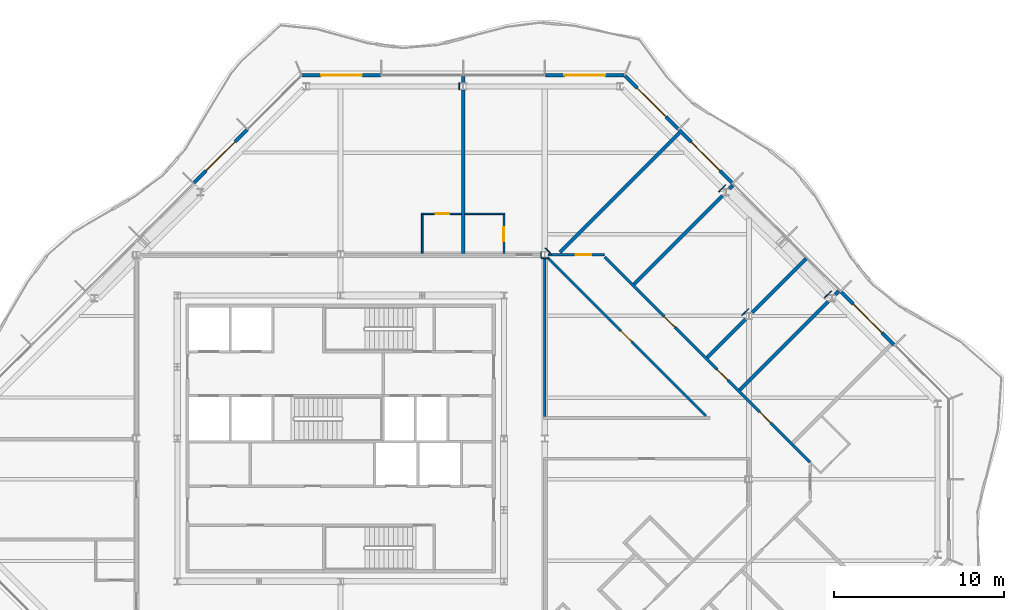
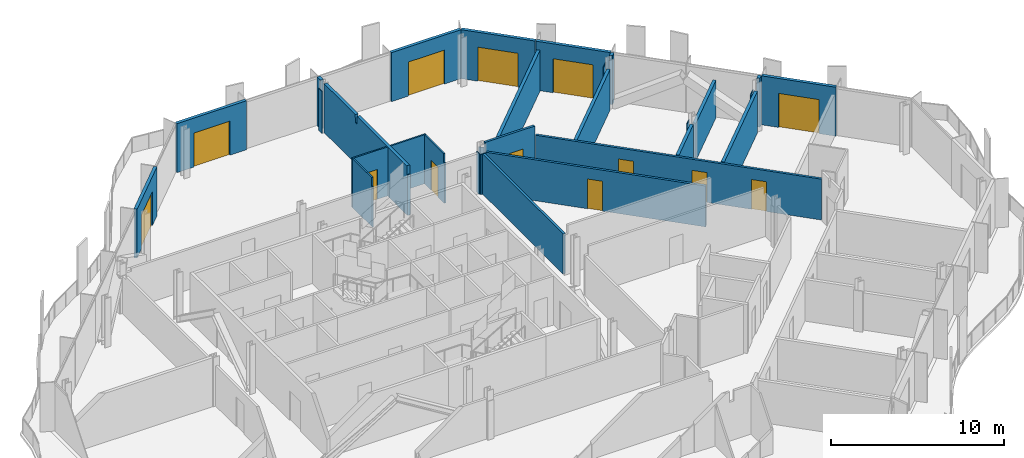
# One storey, part 11 of 17: 30 walls, 13 doors, 13 openings.
"""IFC4 building model written with IfcOpenShell, lengths in metres."""

from ifc_helpers import new_model, si_unit, direction, frame, frame_2d, origin, place, context, subcontext, project, spatial, polyline, rectangle, outline, extrude, material, layer, layer_set, type_object, element, fill, save


model = new_model("IFC4")

# Units and contexts
model_context = context("Model", 3, precision=1e-05, world=origin(), true_north=direction((0.0, 1.0)))
body_context = subcontext(model_context, "Body", "Model", "MODEL_VIEW")
ifc_project = project(units=[si_unit("LENGTHUNIT", "METRE"), si_unit("AREAUNIT", "SQUARE_METRE"), si_unit("VOLUMEUNIT", "CUBIC_METRE"), si_unit("PLANEANGLEUNIT", "RADIAN"), si_unit("MASSUNIT", "GRAM", prefix="KILO")], contexts=[model_context])

# Site, building, storey
site_placement = place(None, origin())
site = spatial("IfcSite", under=ifc_project, at=site_placement, CompositionType="ELEMENT")
building_placement = place(site_placement, origin())
building = spatial("IfcBuilding", under=site, at=building_placement, Name="Cairn Pilgrim Tower", CompositionType="ELEMENT")
storey_placement = place(building_placement, frame((0.0, 0.0, 243.0)))
storey = spatial("IfcBuildingStorey", under=building, at=storey_placement, Name="L62", CompositionType="ELEMENT", Elevation=243.0)

# Wall, opening, door
ifc_material_1 = material(Name="Bronze anodised aluminium insulated sandwich panel with mineral wool fill", Category="aluminium")
ifc_layer_1 = layer(ifc_material_1, 0.199951171875)
ifc_layer_set_1 = layer_set([ifc_layer_1], Name="BRONZE INFILL FRAME WALL 200")
wall_type_1 = type_object("IfcWallType", Name="BRONZE INFILL FRAME WALL 200", PredefinedType="NOTDEFINED", material=ifc_layer_set_1)
wall_1_placement = place(storey_placement, frame((39.753173828125, 7.893310546875, 0.0), z_axis=(0.0, 0.0, 1.0), x_axis=(-0.707106781187, 0.707106781187, 0.0)))
wall_1 = element("IfcWall", 1, at=wall_1_placement, inside=storey, type_object=wall_type_1, Name="Bronze infill frame wall IW-NE2", PredefinedType="NOTDEFINED", context=body_context, shape_type="SweptSolid", body=[
    extrude(rectangle(XDim=4.430908203125, YDim=0.199951171875, at=frame_2d((2.21533203125, 0.0))), origin(), (0.0, 0.0, 1.0), 3.449951171875),
])
opening_1_placement = place(wall_1_placement, frame((1.015380859375, 0.0, 0.0)))
opening_1 = element("IfcOpeningElement", 2, at=opening_1_placement, cuts=wall_1, Name="Opening 6207B", PredefinedType="OPENING", context=body_context, shape_type="SweptSolid", body=[
    extrude(rectangle(XDim=2.39990234375, YDim=2.39990234375, at=frame_2d((1.199951171875, 1.199951171875))), frame((0.0, 0.10986328125, 0.0), z_axis=(0.0, -1.0, 0.0), x_axis=(1.0, 0.0, 0.0)), (0.0, 0.0, 1.0), 0.219970703125),
])
ifc_material_2 = material(Name="Bronze anodised aluminium frame with tinted low-E glass", Category="aluminium")
door_type_1 = type_object("IfcDoorType", Name="BALCONY SLIDING DOOR 2400x2400", OperationType="DOUBLE_DOOR_SLIDING", PredefinedType="DOOR", material=ifc_material_2)
door_1_placement = place(opening_1_placement, origin())
door_1 = element("IfcDoor", 3, at=door_1_placement, inside=storey, type_object=door_type_1, Name="Balcony sliding door 6207B", OperationType="SINGLE_SWING_LEFT", OverallHeight=2.39990234375, OverallWidth=2.39990234375, PredefinedType="DOOR", context=body_context, shape_type="SweptSolid", body=[
    extrude(rectangle(XDim=2.39990234375, YDim=2.39990234375, at=frame_2d((1.199951171875, 1.199951171875))), frame((0.0, 0.02490234375, 0.0), z_axis=(0.0, -1.0, 0.0), x_axis=(1.0, 0.0, 0.0)), (0.0, 0.0, 1.0), 0.050048828125),
])
fill(opening_1, door_1)

wall_2_placement = place(storey_placement, frame((30.226318359375, 17.419921875, 0.0), z_axis=(0.0, 0.0, 1.0), x_axis=(-0.707079231393, 0.707134329907, 0.0)))
wall_2 = element("IfcWall", 4, at=wall_2_placement, inside=storey, type_object=wall_type_1, Name="Bronze infill frame wall IW-NE5", PredefinedType="NOTDEFINED", context=body_context, shape_type="SweptSolid", body=[
    extrude(rectangle(XDim=4.430908203125, YDim=0.199951171875, at=frame_2d((2.21533203125, 0.0))), origin(), (0.0, 0.0, 1.0), 3.449951171875),
])
opening_2_placement = place(wall_2_placement, frame((1.01513671875, 0.0, 0.0)))
opening_2 = element("IfcOpeningElement", 5, at=opening_2_placement, cuts=wall_2, Name="Opening 6210B", PredefinedType="OPENING", context=body_context, shape_type="SweptSolid", body=[
    extrude(rectangle(XDim=2.39990234375, YDim=2.39990234375, at=frame_2d((1.199951171875, 1.199951171875))), frame((0.0, 0.10986328125, 0.0), z_axis=(0.0, -1.0, 0.0), x_axis=(1.0, 0.0, 0.0)), (0.0, 0.0, 1.0), 0.219970703125),
])
door_2_placement = place(opening_2_placement, origin())
door_2 = element("IfcDoor", 6, at=door_2_placement, inside=storey, type_object=door_type_1, Name="Balcony sliding door 6210B", OperationType="SINGLE_SWING_LEFT", OverallHeight=2.39990234375, OverallWidth=2.39990234375, PredefinedType="DOOR", context=body_context, shape_type="SweptSolid", body=[
    extrude(rectangle(XDim=2.39990234375, YDim=2.39990234375, at=frame_2d((1.199951171875, 1.199951171875))), frame((0.0, 0.02490234375, 0.0), z_axis=(0.0, -1.0, 0.0), x_axis=(1.0, 0.0, 0.0)), (0.0, 0.0, 1.0), 0.050048828125),
])
fill(opening_2, door_2)

wall_3_placement = place(storey_placement, frame((27.05078125, 20.595703125, 0.0), z_axis=(0.0, 0.0, 1.0), x_axis=(-0.707106781187, 0.707106781187, 0.0)))
wall_3 = element("IfcWall", 7, at=wall_3_placement, inside=storey, type_object=wall_type_1, Name="Bronze infill frame wall IW-NE6", PredefinedType="NOTDEFINED", context=body_context, shape_type="SweptSolid", body=[
    extrude(rectangle(XDim=4.4208984375, YDim=0.199951171875, at=frame_2d((2.21044921875, 0.0))), origin(), (0.0, 0.0, 1.0), 3.449951171875),
])
opening_3_placement = place(wall_3_placement, frame((1.015625, 0.0, 0.0)))
opening_3 = element("IfcOpeningElement", 8, at=opening_3_placement, cuts=wall_3, Name="Opening 6211B2", PredefinedType="OPENING", context=body_context, shape_type="SweptSolid", body=[
    extrude(rectangle(XDim=2.39990234375, YDim=2.39990234375, at=frame_2d((1.199951171875, 1.199951171875))), frame((0.0, 0.10986328125, 0.0), z_axis=(0.0, -1.0, 0.0), x_axis=(1.0, 0.0, 0.0)), (0.0, 0.0, 1.0), 0.219970703125),
])
door_3_placement = place(opening_3_placement, origin())
door_3 = element("IfcDoor", 9, at=door_3_placement, inside=storey, type_object=door_type_1, Name="Balcony sliding door 6211B2", OperationType="SINGLE_SWING_LEFT", OverallHeight=2.39990234375, OverallWidth=2.39990234375, PredefinedType="DOOR", context=body_context, shape_type="SweptSolid", body=[
    extrude(rectangle(XDim=2.39990234375, YDim=2.39990234375, at=frame_2d((1.199951171875, 1.199951171875))), frame((0.0, 0.02490234375, 0.0), z_axis=(0.0, -1.0, 0.0), x_axis=(1.0, 0.0, 0.0)), (0.0, 0.0, 1.0), 0.050048828125),
])
fill(opening_3, door_3)

wall_4_placement = place(storey_placement, frame((23.8564453125, 23.75, 0.0), z_axis=(0.0, 0.0, 1.0), x_axis=(-1.0, 0.0, 0.0)))
wall_4 = element("IfcWall", 10, at=wall_4_placement, inside=storey, type_object=wall_type_1, Name="Bronze infill frame wall IW-N1", PredefinedType="NOTDEFINED", context=body_context, shape_type="SweptSolid", body=[
    extrude(rectangle(XDim=4.62646484375, YDim=0.199951171875, at=frame_2d((2.313232421875, 0.0))), origin(), (0.0, 0.0, 1.0), 3.449951171875),
])
opening_4_placement = place(wall_4_placement, frame((1.1083984375, 0.0, 0.0)))
opening_4 = element("IfcOpeningElement", 11, at=opening_4_placement, cuts=wall_4, Name="Opening 6211B", PredefinedType="OPENING", context=body_context, shape_type="SweptSolid", body=[
    extrude(rectangle(XDim=2.39990234375, YDim=2.39990234375, at=frame_2d((1.199951171875, 1.199951171875))), frame((0.0, 0.10986328125, 0.0), z_axis=(0.0, -1.0, 0.0), x_axis=(1.0, 0.0, 0.0)), (0.0, 0.0, 1.0), 0.219970703125),
])
door_4_placement = place(opening_4_placement, origin())
door_4 = element("IfcDoor", 12, at=door_4_placement, inside=storey, type_object=door_type_1, Name="Balcony sliding door 6211B", OperationType="SINGLE_SWING_LEFT", OverallHeight=2.39990234375, OverallWidth=2.39990234375, PredefinedType="DOOR", context=body_context, shape_type="SweptSolid", body=[
    extrude(rectangle(XDim=2.39990234375, YDim=2.39990234375, at=frame_2d((1.199951171875, 1.199951171875))), frame((0.0, 0.02490234375, 0.0), z_axis=(0.0, -1.0, 0.0), x_axis=(1.0, 0.0, 0.0)), (0.0, 0.0, 1.0), 0.050048828125),
])
fill(opening_4, door_4)

wall_5_placement = place(storey_placement, frame((9.570068359375, 23.75, 0.0), z_axis=(0.0, 0.0, 1.0), x_axis=(-1.0, 0.0, 0.0)))
wall_5 = element("IfcWall", 13, at=wall_5_placement, inside=storey, type_object=wall_type_1, Name="Bronze infill frame wall IW-N4", PredefinedType="NOTDEFINED", context=body_context, shape_type="SweptSolid", body=[
    extrude(rectangle(XDim=4.62646484375, YDim=0.199951171875, at=frame_2d((2.313232421875, 0.0))), origin(), (0.0, 0.0, 1.0), 3.449951171875),
])
opening_5_placement = place(wall_5_placement, frame((1.117919921875, 0.0, 0.0)))
opening_5 = element("IfcOpeningElement", 14, at=opening_5_placement, cuts=wall_5, Name="Opening 6212B", PredefinedType="OPENING", context=body_context, shape_type="SweptSolid", body=[
    extrude(rectangle(XDim=2.39990234375, YDim=2.39990234375, at=frame_2d((1.199951171875, 1.199951171875))), frame((0.0, 0.10986328125, 0.0), z_axis=(0.0, -1.0, 0.0), x_axis=(1.0, 0.0, 0.0)), (0.0, 0.0, 1.0), 0.219970703125),
])
door_5_placement = place(opening_5_placement, origin())
door_5 = element("IfcDoor", 15, at=door_5_placement, inside=storey, type_object=door_type_1, Name="Balcony sliding door 6212B", OperationType="SINGLE_SWING_LEFT", OverallHeight=2.39990234375, OverallWidth=2.39990234375, PredefinedType="DOOR", context=body_context, shape_type="SweptSolid", body=[
    extrude(rectangle(XDim=2.39990234375, YDim=2.39990234375, at=frame_2d((1.199951171875, 1.199951171875))), frame((0.0, 0.02490234375, 0.0), z_axis=(0.0, -1.0, 0.0), x_axis=(1.0, 0.0, 0.0)), (0.0, 0.0, 1.0), 0.050048828125),
])
fill(opening_5, door_5)

wall_6_placement = place(storey_placement, frame((1.706787109375, 20.55322265625, 0.0), z_axis=(0.0, 0.0, 1.0), x_axis=(-0.707106781187, -0.707106781187, 0.0)))
wall_6 = element("IfcWall", 16, at=wall_6_placement, inside=storey, type_object=wall_type_1, Name="Bronze infill frame wall IW-NW2", PredefinedType="NOTDEFINED", context=body_context, shape_type="SweptSolid", body=[
    extrude(rectangle(XDim=4.43115234375, YDim=0.199951171875, at=frame_2d((2.215576171875, 0.0))), origin(), (0.0, 0.0, 1.0), 3.449951171875),
])
opening_6_placement = place(wall_6_placement, frame((1.015380859375, 0.0, 0.0)))
opening_6 = element("IfcOpeningElement", 17, at=opening_6_placement, cuts=wall_6, Name="Opening 6212B2", PredefinedType="OPENING", context=body_context, shape_type="SweptSolid", body=[
    extrude(rectangle(XDim=2.39990234375, YDim=2.39990234375, at=frame_2d((1.199951171875, 1.199951171875))), frame((0.0, 0.10986328125, 0.0), z_axis=(0.0, -1.0, 0.0), x_axis=(1.0, 0.0, 0.0)), (0.0, 0.0, 1.0), 0.219970703125),
])
door_6_placement = place(opening_6_placement, origin())
door_6 = element("IfcDoor", 18, at=door_6_placement, inside=storey, type_object=door_type_1, Name="Balcony sliding door 6212B2", OperationType="SINGLE_SWING_LEFT", OverallHeight=2.39990234375, OverallWidth=2.39990234375, PredefinedType="DOOR", context=body_context, shape_type="SweptSolid", body=[
    extrude(rectangle(XDim=2.39990234375, YDim=2.39990234375, at=frame_2d((1.199951171875, 1.199951171875))), frame((0.0, 0.02490234375, 0.0), z_axis=(0.0, -1.0, 0.0), x_axis=(1.0, 0.0, 0.0)), (0.0, 0.0, 1.0), 0.050048828125),
])
fill(opening_6, door_6)

# Wall
ifc_material_3 = material(Name="Gypsum partition")
ifc_layer_2 = layer(ifc_material_3, 0.10009765625)
ifc_layer_set_2 = layer_set([ifc_layer_2], Name="PARTITION 100 DRYWALL")
wall_type_2 = type_object("IfcWallType", Name="PARTITION 100 DRYWALL", PredefinedType="PARTITIONING", material=ifc_layer_set_2)
wall_7_placement = place(storey_placement, frame((12.0, 13.27490234375, 0.0), z_axis=(0.0, 0.0, 1.0), x_axis=(0.0, 1.0, 0.0)))
element("IfcWall", 19, at=wall_7_placement, inside=storey, type_object=wall_type_2, Name="PARTITION W073", PredefinedType="PARTITIONING", context=body_context, shape_type="SweptSolid", body=[
    extrude(outline(polyline([(0.0, 0.0), (2.275146484375, 0.0), (2.27490234375, 3.449951171875), (0.074951171875, 3.449951171875), (0.072998046875, 2.830078125), (0.0, 2.830078125), (0.0, 0.0)])), frame((0.0, 0.050048828125, 0.0), z_axis=(0.0, -1.0, 0.0), x_axis=(1.0, 0.0, 0.0)), (0.0, 0.0, 1.0), 0.10009765625),
])

# Wall, opening, door
wall_8_placement = place(storey_placement, frame((16.800048828125, 13.27490234375, 0.0), z_axis=(0.0, 0.0, 1.0), x_axis=(0.0, 1.0, 0.0)))
wall_8 = element("IfcWall", 20, at=wall_8_placement, inside=storey, type_object=wall_type_2, Name="PARTITION W075", PredefinedType="PARTITIONING", context=body_context, shape_type="SweptSolid", body=[
    extrude(outline(polyline([(0.0, 0.0), (2.275146484375, 0.0), (2.27490234375, 3.449951171875), (0.074951171875, 3.449951171875), (0.072998046875, 2.830078125), (0.0, 2.830078125), (0.0, 0.0)])), frame((0.0, 0.050048828125, 0.0), z_axis=(0.0, -1.0, 0.0), x_axis=(1.0, 0.0, 0.0)), (0.0, 0.0, 1.0), 0.10009765625),
])
opening_7_placement = place(wall_8_placement, frame((0.72509765625, 0.0, 0.0)))
opening_7 = element("IfcOpeningElement", 21, at=opening_7_placement, cuts=wall_8, Name="Opening 6211A", PredefinedType="OPENING", context=body_context, shape_type="SweptSolid", body=[
    extrude(rectangle(XDim=0.800048828125, YDim=2.10009765625, at=frame_2d((0.39990234375, 1.050048828125))), frame((0.0, 0.06005859375, 0.0), z_axis=(0.0, -1.0, 0.0), x_axis=(1.0, 0.0, 0.0)), (0.0, 0.0, 1.0), 0.1201171875),
])
ifc_material_4 = material(Name="Timber door leaf", Category="wood")
door_type_2 = type_object("IfcDoorType", Name="WC DOOR 800x2100", OperationType="NOTDEFINED", PredefinedType="DOOR", material=ifc_material_4)
door_7_placement = place(opening_7_placement, frame((0.800048828125, 0.0, 0.0), z_axis=(0.0, 0.0, 1.0), x_axis=(-1.0, 0.0, 0.0)))
door_7 = element("IfcDoor", 22, at=door_7_placement, inside=storey, type_object=door_type_2, Name="DOOR 6211A", OperationType="SINGLE_SWING_LEFT", OverallHeight=2.10009765625, OverallWidth=0.800048828125, PredefinedType="DOOR", context=body_context, shape_type="SweptSolid", body=[
    extrude(rectangle(XDim=0.800048828125, YDim=2.10009765625, at=frame_2d((0.39990234375, 1.050048828125))), frame((0.0, 0.02490234375, 0.0), z_axis=(0.0, -1.0, 0.0), x_axis=(1.0, 0.0, 0.0)), (0.0, 0.0, 1.0), 0.050048828125),
])
fill(opening_7, door_7)

wall_9_placement = place(storey_placement, frame((11.949951171875, 15.60009765625, 0.0), z_axis=(0.0, 0.0, 1.0), x_axis=(1.0, 0.0, 0.0)))
wall_9 = element("IfcWall", 23, at=wall_9_placement, inside=storey, type_object=wall_type_2, Name="PARTITION W077", PredefinedType="PARTITIONING", context=body_context, shape_type="SweptSolid", body=[
    extrude(rectangle(XDim=2.35009765625, YDim=0.10009765625, at=frame_2d((1.175048828125, 0.0))), origin(), (0.0, 0.0, 1.0), 3.449951171875),
])
opening_8_placement = place(wall_9_placement, frame((0.85009765625, 0.0, 0.0)))
opening_8 = element("IfcOpeningElement", 24, at=opening_8_placement, cuts=wall_9, Name="Opening 6212A", PredefinedType="OPENING", context=body_context, shape_type="SweptSolid", body=[
    extrude(rectangle(XDim=0.800048828125, YDim=2.10009765625, at=frame_2d((0.39990234375, 1.050048828125))), frame((0.0, 0.06005859375, 0.0), z_axis=(0.0, -1.0, 0.0), x_axis=(1.0, 0.0, 0.0)), (0.0, 0.0, 1.0), 0.1201171875),
])
door_8_placement = place(opening_8_placement, origin())
door_8 = element("IfcDoor", 25, at=door_8_placement, inside=storey, type_object=door_type_2, Name="DOOR 6212A", OperationType="SINGLE_SWING_LEFT", OverallHeight=2.10009765625, OverallWidth=0.800048828125, PredefinedType="DOOR", context=body_context, shape_type="SweptSolid", body=[
    extrude(rectangle(XDim=0.800048828125, YDim=2.10009765625, at=frame_2d((0.39990234375, 1.050048828125))), frame((0.0, 0.02490234375, 0.0), z_axis=(0.0, -1.0, 0.0), x_axis=(1.0, 0.0, 0.0)), (0.0, 0.0, 1.0), 0.050048828125),
])
fill(opening_8, door_8)

# Wall
wall_10_placement = place(storey_placement, frame((14.5, 15.60009765625, 0.0), z_axis=(0.0, 0.0, 1.0), x_axis=(1.0, 0.0, 0.0)))
element("IfcWall", 26, at=wall_10_placement, inside=storey, type_object=wall_type_2, Name="PARTITION W078", PredefinedType="PARTITIONING", context=body_context, shape_type="SweptSolid", body=[
    extrude(rectangle(XDim=2.35009765625, YDim=0.10009765625, at=frame_2d((1.175048828125, 0.0))), origin(), (0.0, 0.0, 1.0), 3.449951171875),
])

# Wall, openings, doors
ifc_layer_3 = layer(ifc_material_3, 0.14990234375)
ifc_layer_set_3 = layer_set([ifc_layer_3], Name="PARTITION 150 DRYWALL EI 60")
wall_type_3 = type_object("IfcWallType", Name="PARTITION 150 DRYWALL EI 60", PredefinedType="PARTITIONING", material=ifc_layer_set_3)
wall_11_placement = place(storey_placement, frame((34.800048828125, 0.993896484375, 0.0), z_axis=(0.0, 0.0, 1.0), x_axis=(-0.707099634543, 0.707113927758, 0.0)))
wall_11 = element("IfcWall", 27, at=wall_11_placement, inside=storey, type_object=wall_type_3, Name="PARTITION W056", PredefinedType="PARTITIONING", context=body_context, shape_type="SweptSolid", body=[
    extrude(rectangle(XDim=17.080810546875, YDim=0.14990234375, at=frame_2d((8.54052734375, 0.0))), origin(), (0.0, 0.0, 1.0), 2.8798828125),
])
opening_9_placement = place(wall_11_placement, frame((3.27587890625, 0.0, 0.0)))
opening_9 = element("IfcOpeningElement", 28, at=opening_9_placement, cuts=wall_11, Name="Opening 6207", PredefinedType="OPENING", context=body_context, shape_type="SweptSolid", body=[
    extrude(rectangle(XDim=0.89990234375, YDim=2.10009765625, at=frame_2d((0.449951171875, 1.050048828125))), frame((0.0, 0.0849609375, 0.0), z_axis=(0.0, -1.0, 0.0), x_axis=(1.0, 0.0, 0.0)), (0.0, 0.0, 1.0), 0.169921875),
])
opening_10_placement = place(wall_11_placement, frame((6.828857421875, 0.0, 0.0)))
opening_10 = element("IfcOpeningElement", 29, at=opening_10_placement, cuts=wall_11, Name="Opening 6208", PredefinedType="OPENING", context=body_context, shape_type="SweptSolid", body=[
    extrude(rectangle(XDim=0.89990234375, YDim=2.10009765625, at=frame_2d((0.449951171875, 1.050048828125))), frame((0.0, 0.0849609375, 0.0), z_axis=(0.0, -1.0, 0.0), x_axis=(1.0, 0.0, 0.0)), (0.0, 0.0, 1.0), 0.169921875),
])
opening_11_placement = place(wall_11_placement, frame((11.22998046875, 0.0, 0.0)))
opening_11 = element("IfcOpeningElement", 30, at=opening_11_placement, cuts=wall_11, Name="Opening 6209", PredefinedType="OPENING", context=body_context, shape_type="SweptSolid", body=[
    extrude(rectangle(XDim=0.89990234375, YDim=2.10009765625, at=frame_2d((0.449951171875, 1.050048828125))), frame((0.0, 0.0849609375, 0.0), z_axis=(0.0, -1.0, 0.0), x_axis=(1.0, 0.0, 0.0)), (0.0, 0.0, 1.0), 0.169921875),
])
door_type_3 = type_object("IfcDoorType", Name="ROOM DOOR 900x2100 FD30S", OperationType="NOTDEFINED", PredefinedType="DOOR", material=ifc_material_4)
door_9_placement = place(opening_9_placement, frame((0.89990234375, 0.0, 0.0), z_axis=(0.0, 0.0, 1.0), x_axis=(-1.0, 0.0, 0.0)))
door_9 = element("IfcDoor", 31, at=door_9_placement, inside=storey, type_object=door_type_3, Name="DOOR 6207", OperationType="SINGLE_SWING_RIGHT", OverallHeight=2.10009765625, OverallWidth=0.89990234375, PredefinedType="DOOR", context=body_context, shape_type="SweptSolid", body=[
    extrude(rectangle(XDim=0.89990234375, YDim=2.10009765625, at=frame_2d((0.449951171875, 1.050048828125))), frame((0.0, 0.02490234375, 0.0), z_axis=(0.0, -1.0, 0.0), x_axis=(1.0, 0.0, 0.0)), (0.0, 0.0, 1.0), 0.050048828125),
])
fill(opening_9, door_9)
door_type_4 = type_object("IfcDoorType", Name="SERVICE DOOR 900x2100 FD30S", OperationType="NOTDEFINED", PredefinedType="DOOR", material=ifc_material_4)
door_10_placement = place(opening_10_placement, frame((0.89990234375, 0.0, 0.0), z_axis=(0.0, 0.0, 1.0), x_axis=(-1.0, 0.0, 0.0)))
door_10 = element("IfcDoor", 32, at=door_10_placement, inside=storey, type_object=door_type_4, Name="DOOR 6208", OperationType="SINGLE_SWING_RIGHT", OverallHeight=2.10009765625, OverallWidth=0.89990234375, PredefinedType="DOOR", context=body_context, shape_type="SweptSolid", body=[
    extrude(rectangle(XDim=0.89990234375, YDim=2.10009765625, at=frame_2d((0.449951171875, 1.050048828125))), frame((0.0, 0.02490234375, 0.0), z_axis=(0.0, -1.0, 0.0), x_axis=(1.0, 0.0, 0.0)), (0.0, 0.0, 1.0), 0.050048828125),
])
fill(opening_10, door_10)
door_11_placement = place(opening_11_placement, frame((0.89990234375, 0.0, 0.0), z_axis=(0.0, 0.0, 1.0), x_axis=(-1.0, 0.0, 0.0)))
door_11 = element("IfcDoor", 33, at=door_11_placement, inside=storey, type_object=door_type_4, Name="DOOR 6209", OperationType="SINGLE_SWING_RIGHT", OverallHeight=2.10009765625, OverallWidth=0.89990234375, PredefinedType="DOOR", context=body_context, shape_type="SweptSolid", body=[
    extrude(rectangle(XDim=0.89990234375, YDim=2.10009765625, at=frame_2d((0.449951171875, 1.050048828125))), frame((0.0, 0.02490234375, 0.0), z_axis=(0.0, -1.0, 0.0), x_axis=(1.0, 0.0, 0.0)), (0.0, 0.0, 1.0), 0.050048828125),
])
fill(opening_11, door_11)

# Wall
wall_12_placement = place(storey_placement, frame((19.199951171875, 3.675048828125, 0.0), z_axis=(0.0, 0.0, 1.0), x_axis=(0.0, 1.0, 0.0)))
element("IfcWall", 34, at=wall_12_placement, inside=storey, type_object=wall_type_3, Name="PARTITION W063", PredefinedType="PARTITIONING", context=body_context, shape_type="SweptSolid", body=[
    extrude(rectangle(XDim=9.33740234375, YDim=0.14990234375, at=frame_2d((4.668701171875, 0.0))), origin(), (0.0, 0.0, 1.0), 2.830078125),
])

# Wall, opening, door
wall_13_placement = place(storey_placement, frame((28.672119140625, 3.72802734375, 0.0), z_axis=(0.0, 0.0, 1.0), x_axis=(-0.707106781187, 0.707106781187, 0.0)))
wall_13 = element("IfcWall", 35, at=wall_13_placement, inside=storey, type_object=wall_type_3, Name="PARTITION W064", PredefinedType="PARTITIONING", context=body_context, shape_type="SweptSolid", body=[
    extrude(rectangle(XDim=13.12353515625, YDim=0.14990234375, at=frame_2d((6.561767578125, 0.0))), origin(), (0.0, 0.0, 1.0), 2.8798828125),
])
opening_12_placement = place(wall_13_placement, frame((6.156982421875, 0.0, 0.0)))
opening_12 = element("IfcOpeningElement", 36, at=opening_12_placement, cuts=wall_13, Name="Opening 6219", PredefinedType="OPENING", context=body_context, shape_type="SweptSolid", body=[
    extrude(rectangle(XDim=0.89990234375, YDim=2.10009765625, at=frame_2d((0.449951171875, 1.050048828125))), frame((0.0, 0.0849609375, 0.0), z_axis=(0.0, -1.0, 0.0), x_axis=(1.0, 0.0, 0.0)), (0.0, 0.0, 1.0), 0.169921875),
])
door_12_placement = place(opening_12_placement, origin())
door_12 = element("IfcDoor", 37, at=door_12_placement, inside=storey, type_object=door_type_4, Name="DOOR 6219", OperationType="SINGLE_SWING_LEFT", OverallHeight=2.10009765625, OverallWidth=0.89990234375, PredefinedType="DOOR", context=body_context, shape_type="SweptSolid", body=[
    extrude(rectangle(XDim=0.89990234375, YDim=2.10009765625, at=frame_2d((0.449951171875, 1.050048828125))), frame((0.0, 0.02490234375, 0.0), z_axis=(0.0, -1.0, 0.0), x_axis=(1.0, 0.0, 0.0)), (0.0, 0.0, 1.0), 0.050048828125),
])
fill(opening_12, door_12)

wall_14_placement = place(storey_placement, frame((19.39697265625, 13.199951171875, 0.0), z_axis=(0.0, 0.0, 1.0), x_axis=(1.0, 0.0, 0.0)))
wall_14 = element("IfcWall", 38, at=wall_14_placement, inside=storey, type_object=wall_type_3, Name="PARTITION W072", PredefinedType="PARTITIONING", context=body_context, shape_type="SweptSolid", body=[
    extrude(rectangle(XDim=3.30322265625, YDim=0.14990234375, at=frame_2d((1.651611328125, 0.0))), origin(), (0.0, 0.0, 1.0), 3.449951171875),
])
opening_13_placement = place(wall_14_placement, frame((1.6259765625, 0.0, 0.0)))
opening_13 = element("IfcOpeningElement", 39, at=opening_13_placement, cuts=wall_14, Name="Opening 6210", PredefinedType="OPENING", context=body_context, shape_type="SweptSolid", body=[
    extrude(rectangle(XDim=0.89990234375, YDim=2.10009765625, at=frame_2d((0.449951171875, 1.050048828125))), frame((0.0, 0.0849609375, 0.0), z_axis=(0.0, -1.0, 0.0), x_axis=(1.0, 0.0, 0.0)), (0.0, 0.0, 1.0), 0.169921875),
])
door_13_placement = place(opening_13_placement, origin())
door_13 = element("IfcDoor", 40, at=door_13_placement, inside=storey, type_object=door_type_4, Name="DOOR 6210", OperationType="SINGLE_SWING_LEFT", OverallHeight=2.10009765625, OverallWidth=0.89990234375, PredefinedType="DOOR", context=body_context, shape_type="SweptSolid", body=[
    extrude(rectangle(XDim=0.89990234375, YDim=2.10009765625, at=frame_2d((0.449951171875, 1.050048828125))), frame((0.0, 0.02490234375, 0.0), z_axis=(0.0, -1.0, 0.0), x_axis=(1.0, 0.0, 0.0)), (0.0, 0.0, 1.0), 0.050048828125),
])
fill(opening_13, door_13)

# Walls
ifc_layer_4 = layer(ifc_material_3, 0.050048828125)
ifc_layer_set_4 = layer_set([ifc_layer_4], Name="PARTITION 50 DRYWALL EI 60")
wall_type_4 = type_object("IfcWallType", Name="PARTITION 50 DRYWALL EI 60", PredefinedType="PARTITIONING", material=ifc_layer_set_4)
wall_15_placement = place(storey_placement, frame((18.97802734375, 13.012451171875, 0.0), z_axis=(0.0, 0.0, 1.0), x_axis=(0.0, 1.0, 0.0)))
element("IfcWall", 41, at=wall_15_placement, inside=storey, type_object=wall_type_4, Name="COLUMN CASING WC15", PredefinedType="PARTITIONING", context=body_context, shape_type="SweptSolid", body=[
    extrude(rectangle(XDim=0.375, YDim=0.050048828125, at=frame_2d((0.1875, 0.0))), origin(), (0.0, 0.0, 1.0), 2.830078125),
])
wall_16_placement = place(storey_placement, frame((19.602294921875, 13.2177734375, 0.0), z_axis=(0.0, 0.0, 1.0), x_axis=(-0.707106781187, 0.707106781187, 0.0)))
element("IfcWall", 42, at=wall_16_placement, inside=storey, type_object=wall_type_4, Name="COLUMN CASING WC16", PredefinedType="PARTITIONING", context=body_context, shape_type="SweptSolid", body=[
    extrude(rectangle(XDim=0.543701171875, YDim=0.050048828125, at=frame_2d((0.27197265625, 0.0))), origin(), (0.0, 0.0, 1.0), 2.929931640625),
])
wall_17_placement = place(storey_placement, frame((35.652587890625, 10.669189453125, 0.0), z_axis=(0.0, 0.0, 1.0), x_axis=(0.707106781187, 0.707106781187, 0.0)))
element("IfcWall", 43, at=wall_17_placement, inside=storey, type_object=wall_type_4, Name="COLUMN CASING WC17", PredefinedType="PARTITIONING", context=body_context, shape_type="SweptSolid", body=[
    extrude(rectangle(XDim=0.573486328125, YDim=0.050048828125, at=frame_2d((0.28662109375, 0.0))), origin(), (0.0, 0.0, 1.0), 2.6298828125),
])
wall_18_placement = place(storey_placement, frame((30.786376953125, 9.61767578125, 0.0), z_axis=(0.0, 0.0, 1.0), x_axis=(0.707106781187, 0.707106781187, 0.0)))
element("IfcWall", 44, at=wall_18_placement, inside=storey, type_object=wall_type_4, Name="COLUMN CASING WC18", PredefinedType="PARTITIONING", context=body_context, shape_type="SweptSolid", body=[
    extrude(rectangle(XDim=0.56005859375, YDim=0.050048828125, at=frame_2d((0.280029296875, 0.0))), origin(), (0.0, 0.0, 1.0), 2.8798828125),
])
wall_19_placement = place(storey_placement, frame((29.42822265625, 16.893310546875, 0.0), z_axis=(0.0, 0.0, 1.0), x_axis=(0.707106781187, 0.707106781187, 0.0)))
element("IfcWall", 45, at=wall_19_placement, inside=storey, type_object=wall_type_4, Name="COLUMN CASING WC19", PredefinedType="PARTITIONING", context=body_context, shape_type="SweptSolid", body=[
    extrude(rectangle(XDim=0.573486328125, YDim=0.050048828125, at=frame_2d((0.28662109375, 0.0))), origin(), (0.0, 0.0, 1.0), 2.929931640625),
])
wall_20_placement = place(storey_placement, frame((19.0029296875, 12.987548828125, 0.0), z_axis=(0.0, 0.0, 1.0), x_axis=(1.0, 0.0, 0.0)))
element("IfcWall", 46, at=wall_20_placement, inside=storey, type_object=wall_type_4, Name="COLUMN CASING WC22", PredefinedType="PARTITIONING", context=body_context, shape_type="SweptSolid", body=[
    extrude(rectangle(XDim=0.39404296875, YDim=0.050048828125, at=frame_2d((0.197021484375, 0.0))), origin(), (0.0, 0.0, 1.0), 2.830078125),
])
wall_21_placement = place(storey_placement, frame((14.173095703125, 22.896484375, 0.0), z_axis=(0.0, 0.0, 1.0), x_axis=(0.0, 1.0, 0.0)))
element("IfcWall", 47, at=wall_21_placement, inside=storey, type_object=wall_type_4, Name="COLUMN CASING WC23", PredefinedType="PARTITIONING", context=body_context, shape_type="SweptSolid", body=[
    extrude(rectangle(XDim=0.406982421875, YDim=0.050048828125, at=frame_2d((0.20361328125, 0.0))), origin(), (0.0, 0.0, 1.0), 2.929931640625),
])
ifc_layer_5 = layer(ifc_material_3, 0.199951171875)
ifc_layer_set_5 = layer_set([ifc_layer_5], Name="SHAFT WALL 200 GYPSUM EI 60")
wall_type_5 = type_object("IfcWallType", Name="SHAFT WALL 200 GYPSUM EI 60", PredefinedType="PARTITIONING", material=ifc_layer_set_5)
wall_22_placement = place(storey_placement, frame((30.662109375, 5.238037109375, 0.0), z_axis=(0.0, 0.0, 1.0), x_axis=(0.707106781187, 0.707106781187, 0.0)))
element("IfcWall", 48, at=wall_22_placement, inside=storey, type_object=wall_type_5, Name="PARTITION W065", PredefinedType="PARTITIONING", context=body_context, shape_type="SweptSolid", body=[
    extrude(rectangle(XDim=7.369140625, YDim=0.199951171875, at=frame_2d((3.6845703125, 0.0))), origin(), (0.0, 0.0, 1.0), 2.929931640625),
])
wall_23_placement = place(storey_placement, frame((28.75, 7.14990234375, 0.0), z_axis=(0.0, 0.0, 1.0), x_axis=(0.7070684525, 0.707145107796, 0.0)))
element("IfcWall", 49, at=wall_23_placement, inside=storey, type_object=wall_type_5, Name="PARTITION W066", PredefinedType="PARTITIONING", context=body_context, shape_type="SweptSolid", body=[
    extrude(rectangle(XDim=3.184814453125, YDim=0.199951171875, at=frame_2d((1.59228515625, 0.0))), origin(), (0.0, 0.0, 1.0), 2.929931640625),
])
wall_24_placement = place(storey_placement, frame((31.39794921875, 9.798095703125, 0.0), z_axis=(0.0, 0.0, 1.0), x_axis=(0.707133900936, 0.707079660397, 0.0)))
element("IfcWall", 50, at=wall_24_placement, inside=storey, type_object=wall_type_5, Name="PARTITION W067", PredefinedType="PARTITIONING", context=body_context, shape_type="SweptSolid", body=[
    extrude(rectangle(XDim=4.5009765625, YDim=0.199951171875, at=frame_2d((2.25048828125, 0.0))), origin(), (0.0, 0.0, 1.0), 2.6298828125),
])
wall_25_placement = place(storey_placement, frame((36.2783203125, 10.8544921875, 0.0), z_axis=(0.0, 0.0, 1.0), x_axis=(0.707509117806, 0.706704215511, 0.0)))
element("IfcWall", 51, at=wall_25_placement, inside=storey, type_object=wall_type_5, Name="PARTITION W068", PredefinedType="PARTITIONING", context=body_context, shape_type="SweptSolid", body=[
    extrude(rectangle(XDim=0.30322265625, YDim=0.199951171875, at=frame_2d((0.151611328125, 0.0))), origin(), (0.0, 0.0, 1.0), 3.449951171875),
])
wall_26_placement = place(storey_placement, frame((24.43798828125, 11.4619140625, 0.0), z_axis=(0.0, 0.0, 1.0), x_axis=(0.707090216072, 0.707123345913, 0.0)))
element("IfcWall", 52, at=wall_26_placement, inside=storey, type_object=wall_type_5, Name="PARTITION W069", PredefinedType="PARTITIONING", context=body_context, shape_type="SweptSolid", body=[
    extrude(rectangle(XDim=7.369140625, YDim=0.199951171875, at=frame_2d((3.6845703125, 0.0))), origin(), (0.0, 0.0, 1.0), 2.8798828125),
])
wall_27_placement = place(storey_placement, frame((14.39990234375, 13.27490234375, 0.0), z_axis=(0.0, 0.0, 1.0), x_axis=(0.0, 1.0, 0.0)))
element("IfcWall", 53, at=wall_27_placement, inside=storey, type_object=wall_type_5, Name="PARTITION W074", PredefinedType="PARTITIONING", context=body_context, shape_type="SweptSolid", body=[
    extrude(outline(polyline([(0.0, 0.0), (9.62158203125, 0.0), (9.62158203125, 3.449951171875), (6.030029296875, 3.449951171875), (6.028076171875, 2.8798828125), (5.820068359375, 2.8798828125), (5.818115234375, 3.449951171875), (0.074951171875, 3.449951171875), (0.072998046875, 2.830078125), (0.0, 2.830078125), (0.0, 0.0)])), frame((0.0, 0.10009765625, 0.0), z_axis=(0.0, -1.0, 0.0), x_axis=(1.0, 0.0, 0.0)), (0.0, 0.0, 1.0), 0.199951171875),
])
wall_28_placement = place(storey_placement, frame((20.09765625, 13.345703125, 0.0), z_axis=(0.0, 0.0, 1.0), x_axis=(0.707119095079, 0.70709446708, 0.0)))
element("IfcWall", 54, at=wall_28_placement, inside=storey, type_object=wall_type_5, Name="PARTITION W076", PredefinedType="PARTITIONING", context=body_context, shape_type="SweptSolid", body=[
    extrude(rectangle(XDim=9.9130859375, YDim=0.199951171875, at=frame_2d((4.95654296875, 0.0))), origin(), (0.0, 0.0, 1.0), 2.8798828125),
])
wall_29_placement = place(storey_placement, frame((30.054443359375, 17.078369140625, 0.0), z_axis=(0.0, 0.0, 1.0), x_axis=(0.707106781187, 0.707106781187, 0.0)))
element("IfcWall", 55, at=wall_29_placement, inside=storey, type_object=wall_type_5, Name="PARTITION W079", PredefinedType="PARTITIONING", context=body_context, shape_type="SweptSolid", body=[
    extrude(rectangle(XDim=0.30322265625, YDim=0.199951171875, at=frame_2d((0.151611328125, 0.0))), origin(), (0.0, 0.0, 1.0), 3.449951171875),
])
wall_30_placement = place(storey_placement, frame((14.39990234375, 23.303466796875, 0.0), z_axis=(0.0, 0.0, 1.0), x_axis=(0.0, 1.0, 0.0)))
element("IfcWall", 56, at=wall_30_placement, inside=storey, type_object=wall_type_5, Name="PARTITION W080", PredefinedType="PARTITIONING", context=body_context, shape_type="SweptSolid", body=[
    extrude(rectangle(XDim=0.386474609375, YDim=0.199951171875, at=frame_2d((0.193359375, 0.0))), origin(), (0.0, 0.0, 1.0), 3.449951171875),
])

save(model, "model.ifc")
